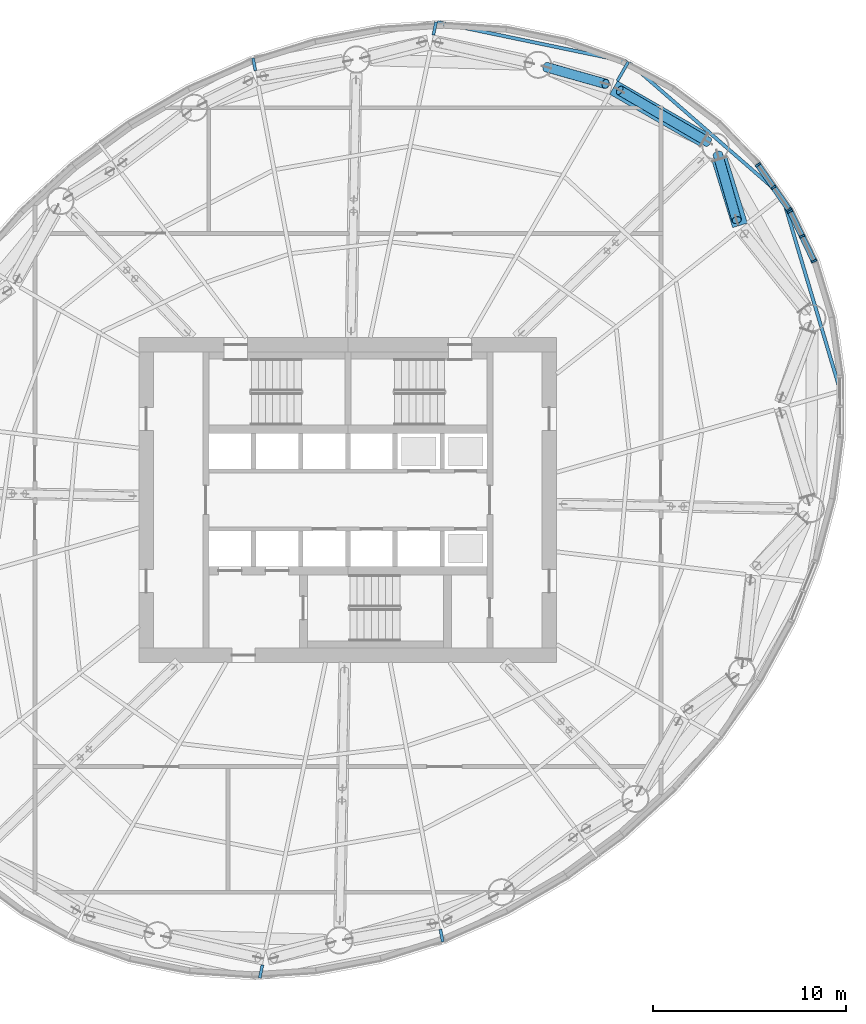
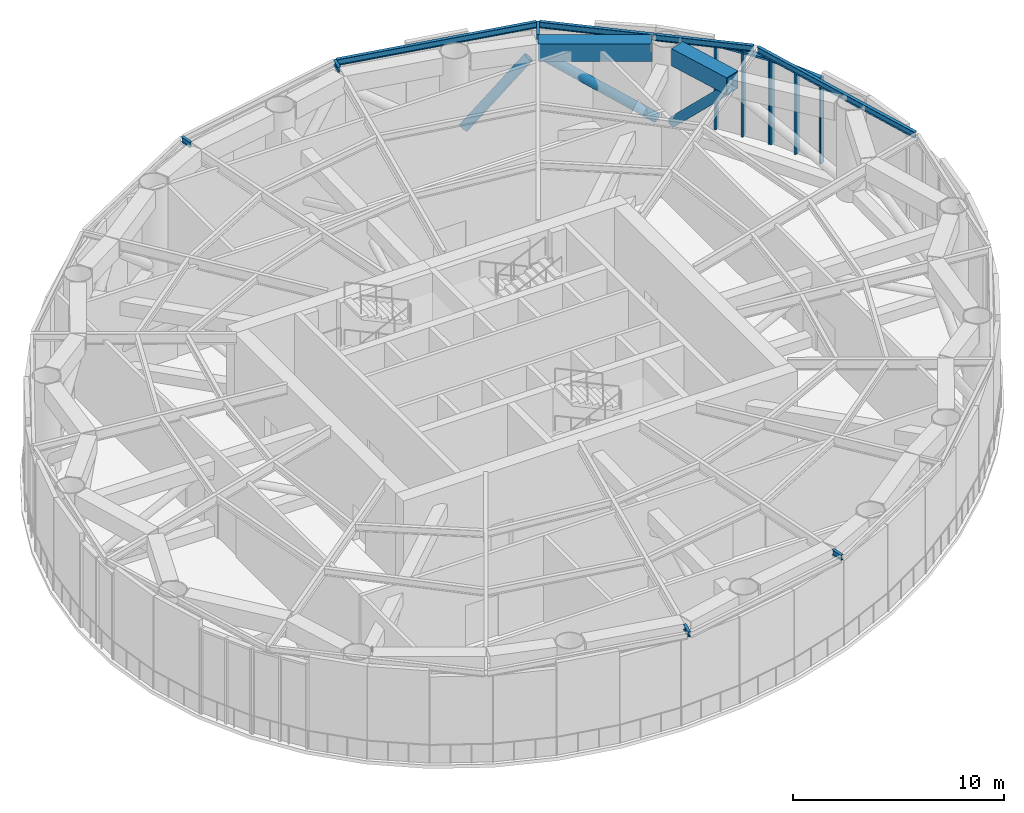
# One storey, part 6 of 19: 15 members, 8 beams, 2 elements without a shape of their own.
"""IFC4 building model written with IfcOpenShell, lengths in metres."""

from ifc_helpers import new_model, si_unit, direction, frame, origin, origin_2d, place, context, subcontext, project, spatial, rectangle, hollow_rectangle, hollow_circle, i_section, extrude, material, material_profile, profile_set, type_object, element, aggregate, save


model = new_model("IFC4")

# Units and contexts
model_context = context("Model", 3, precision=1e-05, world=origin(), true_north=direction((0.0, 1.0)))
body_context = subcontext(model_context, "Body", "Model", "MODEL_VIEW")
ifc_project = project(units=[si_unit("LENGTHUNIT", "METRE"), si_unit("AREAUNIT", "SQUARE_METRE"), si_unit("VOLUMEUNIT", "CUBIC_METRE"), si_unit("PLANEANGLEUNIT", "RADIAN"), si_unit("MASSUNIT", "GRAM", prefix="KILO")], contexts=[model_context])

# Site, building, storey
site_placement = place(None, origin())
site = spatial("IfcSite", under=ifc_project, at=site_placement, CompositionType="ELEMENT")
building_placement = place(site_placement, origin())
building = spatial("IfcBuilding", under=site, at=building_placement, Name="Vermilion Reach Broadcast Tower", CompositionType="ELEMENT")
storey_placement = place(building_placement, frame((0.0, 0.0, 190.199951171875)))
storey = spatial("IfcBuildingStorey", under=building, at=storey_placement, Name="L46", CompositionType="ELEMENT", Elevation=190.199951171875)

# Members
ifc_material_1 = material(Name="Steel S355J2H", Category="steel")
ifc_material_profile_1 = material_profile(ifc_material_1, hollow_circle(Radius=0.25390625, WallThickness=0.02001953125, at=origin_2d()), Name="S355J2H CHS 508x20")
ifc_profile_set_1 = profile_set([ifc_material_profile_1], Name="Steel S355J2H")
member_type_1 = type_object("IfcMemberType", Name="BT3-D CHS 508x20", PredefinedType="BRACE", material=ifc_profile_set_1)
member_1_placement = place(storey_placement, frame((12.637451171875, 18.52978515625, 0.800048828125), z_axis=(-0.717597662826, 0.41968788047, 0.555801832754), x_axis=(-0.50484831086, -0.863208076319, 0.0)))
element("IfcMember", 1, at=member_1_placement, inside=storey, type_object=member_type_1, Name="Belt truss diagonal BT3-D01A", PredefinedType="BRACE", context=body_context, shape_type="SweptSolid", body=[
    extrude(hollow_circle(Radius=0.25390625, WallThickness=0.02001953125, at=origin_2d()), origin(), (0.0, 0.0, 1.0), 6.369140625),
])
member_2_placement = place(storey_placement, frame((4.2783203125, 22.40185546875, 0.800048828125), z_axis=(0.643278409776, -0.181683448483, 0.743763411351), x_axis=(0.271800976197, 0.962353484609, 0.0)))
element("IfcMember", 2, at=member_2_placement, inside=storey, type_object=member_type_1, Name="Belt truss diagonal BT3-D01B", PredefinedType="BRACE", context=body_context, shape_type="SweptSolid", body=[
    extrude(hollow_circle(Radius=0.25390625, WallThickness=0.02001953125, at=origin_2d()), origin(), (0.0, 0.0, 1.0), 4.759521484375),
])
member_3_placement = place(storey_placement, frame((13.150146484375, 17.8701171875, 0.800048828125), z_axis=(0.19455754061, -0.677846490444, 0.708993299534), x_axis=(0.961190959632, 0.275883923276, 0.0)))
element("IfcMember", 3, at=member_3_placement, inside=storey, type_object=member_type_1, Name="Belt truss diagonal BT3-D16B", PredefinedType="BRACE", context=body_context, shape_type="SweptSolid", body=[
    extrude(hollow_circle(Radius=0.25390625, WallThickness=0.02001953125, at=origin_2d()), origin(), (0.0, 0.0, 1.0), 4.9931640625),
])
ifc_material_2 = material(Name="Steel S460NL", Category="steel")
ifc_material_profile_2 = material_profile(ifc_material_2, hollow_rectangle(XDim=0.800048828125, YDim=1.0, WallThickness=0.0400390625, at=origin_2d()), Name="S460NL BOX 800x1000x40")
ifc_profile_set_2 = profile_set([ifc_material_profile_2], Name="Steel S460NL")
member_type_2 = type_object("IfcMemberType", Name="BT3-TC BOX 800x1000x40", PredefinedType="CHORD", material=ifc_profile_set_2)
member_4_placement = place(storey_placement, frame((12.41064453125, 18.6572265625, 4.85009765625), z_axis=(-0.866411335394, 0.499330950272, 0.0), x_axis=(-0.499330950272, -0.866411335394, 0.0)))
element("IfcMember", 4, at=member_4_placement, inside=storey, type_object=member_type_2, Name="Belt truss top chord BT3-TC01", PredefinedType="CHORD", context=body_context, shape_type="SweptSolid", body=[
    extrude(hollow_rectangle(XDim=0.800048828125, YDim=1.0, WallThickness=0.0400390625, at=origin_2d()), origin(), (0.0, 0.0, 1.0), 5.381103515625),
])
member_5_placement = place(storey_placement, frame((14.294677734375, 14.212890625, 4.85009765625), z_axis=(-0.296289574057, 0.955098156372, 0.0), x_axis=(-0.955098156372, -0.296289574057, 0.0)))
element("IfcMember", 5, at=member_5_placement, inside=storey, type_object=member_type_2, Name="Belt truss top chord BT3-TC32", PredefinedType="CHORD", context=body_context, shape_type="SweptSolid", body=[
    extrude(hollow_rectangle(XDim=0.800048828125, YDim=1.0, WallThickness=0.0400390625, at=origin_2d()), origin(), (0.0, 0.0, 1.0), 3.572021484375),
])

# Curtain wall, members
ifc_material_3 = material(Name="Low-e laminated clear glass in aluminium frame", Category="aluminium")
curtain_wall_type = type_object("IfcCurtainWallType", Name="Belt glazing curtain wall", PredefinedType="NOTDEFINED", material=ifc_material_3)
placement = place(storey_placement, origin())
curtain_wall_1 = element("IfcCurtainWall", 6, at=placement, inside=storey, type_object=curtain_wall_type, Name="Sky lobby glazing L46 01", PredefinedType="NOTDEFINED")
ifc_material_4 = material(Name="Anodised aluminium", Category="aluminium")
ifc_material_profile_3 = material_profile(ifc_material_4, rectangle(XDim=0.300048828125, YDim=0.10009765625, at=origin_2d()), Name="Belt glazing mullion 100 x 300")
ifc_profile_set_3 = profile_set([ifc_material_profile_3], Name="Anodised aluminium")
member_type_3 = type_object("IfcMemberType", Name="Belt glazing mullion 100 x 300", PredefinedType="MULLION", material=ifc_profile_set_3)
member_6_placement = place(storey_placement, frame((18.122802734375, 12.3681640625, 0.0), z_axis=(0.0, 0.0, 1.0), x_axis=(-0.900960065819, -0.433902016358, 0.0)))
member_6 = element("IfcMember", 7, at=member_6_placement, type_object=member_type_3, Name="Sky lobby glazing mullion L46 01.1", PredefinedType="MULLION", context=body_context, shape_type="SweptSolid", body=[
    extrude(rectangle(XDim=0.300048828125, YDim=0.10009765625, at=origin_2d()), origin(), (0.0, 0.0, 1.0), 4.949951171875),
])
member_7_placement = place(storey_placement, frame((17.504150390625, 13.65234375, 0.0), z_axis=(0.0, 0.0, 1.0), x_axis=(-0.900960065819, -0.433902016358, 0.0)))
member_7 = element("IfcMember", 8, at=member_7_placement, type_object=member_type_3, Name="Sky lobby glazing mullion L46 01.2", PredefinedType="MULLION", context=body_context, shape_type="SweptSolid", body=[
    extrude(rectangle(XDim=0.300048828125, YDim=0.10009765625, at=origin_2d()), origin(), (0.0, 0.0, 1.0), 4.949951171875),
])
member_8_placement = place(storey_placement, frame((16.8857421875, 14.936767578125, 0.0), z_axis=(0.0, 0.0, 1.0), x_axis=(-0.900960065819, -0.433902016358, 0.0)))
member_8 = element("IfcMember", 9, at=member_8_placement, type_object=member_type_3, Name="Sky lobby glazing mullion L46 01.3", PredefinedType="MULLION", context=body_context, shape_type="SweptSolid", body=[
    extrude(rectangle(XDim=0.300048828125, YDim=0.10009765625, at=origin_2d()), origin(), (0.0, 0.0, 1.0), 4.949951171875),
])

curtain_wall_2 = element("IfcCurtainWall", 10, at=placement, inside=storey, type_object=curtain_wall_type, Name="Sky lobby glazing L46 02", PredefinedType="NOTDEFINED")
member_9_placement = place(storey_placement, frame((16.83544921875, 15.02294921875, 0.0), z_axis=(0.0, 0.0, 1.0), x_axis=(-0.821280862388, -0.570524096839, 0.0)))
member_9 = element("IfcMember", 11, at=member_9_placement, type_object=member_type_3, Name="Sky lobby glazing mullion L46 02.1", PredefinedType="MULLION", context=body_context, shape_type="SweptSolid", body=[
    extrude(rectangle(XDim=0.300048828125, YDim=0.10009765625, at=origin_2d()), origin(), (0.0, 0.0, 1.0), 4.949951171875),
])
member_10_placement = place(storey_placement, frame((16.029296875, 16.183349609375, 0.0), z_axis=(0.0, 0.0, 1.0), x_axis=(-0.821280862388, -0.570524096839, 0.0)))
member_10 = element("IfcMember", 12, at=member_10_placement, type_object=member_type_3, Name="Sky lobby glazing mullion L46 02.2", PredefinedType="MULLION", context=body_context, shape_type="SweptSolid", body=[
    extrude(rectangle(XDim=0.300048828125, YDim=0.10009765625, at=origin_2d()), origin(), (0.0, 0.0, 1.0), 4.949951171875),
])
member_11_placement = place(storey_placement, frame((15.22314453125, 17.34375, 0.0), z_axis=(0.0, 0.0, 1.0), x_axis=(-0.821280862388, -0.570524096839, 0.0)))
member_11 = element("IfcMember", 13, at=member_11_placement, type_object=member_type_3, Name="Sky lobby glazing mullion L46 02.3", PredefinedType="MULLION", context=body_context, shape_type="SweptSolid", body=[
    extrude(rectangle(XDim=0.300048828125, YDim=0.10009765625, at=origin_2d()), origin(), (0.0, 0.0, 1.0), 4.949951171875),
])

# Member
ifc_material_5 = material(Name="Anodised aluminium", Category="aluminium")
ifc_material_profile_4 = material_profile(ifc_material_5, rectangle(XDim=0.300048828125, YDim=0.1201171875, at=origin_2d()), Name="Belt glazing transom 300 x 120")
ifc_profile_set_4 = profile_set([ifc_material_profile_4], Name="Anodised aluminium")
member_type_4 = type_object("IfcMemberType", Name="Belt glazing transom 300 x 120", PredefinedType="USERDEFINED", material=ifc_profile_set_4)
member_12_placement = place(storey_placement, frame((18.10107421875, 12.4130859375, 4.89013671875), z_axis=(-0.433904215099, 0.900959006903, 0.0), x_axis=(-0.900959006903, -0.433904215099, 0.0)))
member_12 = element("IfcMember", 14, at=member_12_placement, type_object=member_type_4, Name="Sky lobby glazing transom L46 01.1.2", ObjectType="TRANSOM", PredefinedType="USERDEFINED", context=body_context, shape_type="SweptSolid", body=[
    extrude(rectangle(XDim=0.300048828125, YDim=0.1201171875, at=origin_2d()), origin(), (0.0, 0.0, 1.0), 1.32568359375),
])

member_13_placement = place(storey_placement, frame((17.482421875, 13.697509765625, 4.89013671875), z_axis=(-0.433904215099, 0.900959006903, 0.0), x_axis=(-0.900959006903, -0.433904215099, 0.0)))
member_13 = element("IfcMember", 15, at=member_13_placement, type_object=member_type_4, Name="Sky lobby glazing transom L46 01.2.2", ObjectType="TRANSOM", PredefinedType="USERDEFINED", context=body_context, shape_type="SweptSolid", body=[
    extrude(rectangle(XDim=0.300048828125, YDim=0.1201171875, at=origin_2d()), origin(), (0.0, 0.0, 1.0), 1.32568359375),
])

aggregate(curtain_wall_1, [member_6, member_7, member_8, member_12, member_13])

member_14_placement = place(storey_placement, frame((16.806884765625, 15.06396484375, 4.89013671875), z_axis=(-0.570475953353, 0.82131430442, 0.0), x_axis=(-0.82131430442, -0.570475953353, 0.0)))
member_14 = element("IfcMember", 16, at=member_14_placement, type_object=member_type_4, Name="Sky lobby glazing transom L46 02.1.2", ObjectType="TRANSOM", PredefinedType="USERDEFINED", context=body_context, shape_type="SweptSolid", body=[
    extrude(rectangle(XDim=0.300048828125, YDim=0.1201171875, at=origin_2d()), origin(), (0.0, 0.0, 1.0), 1.31298828125),
])

member_15_placement = place(storey_placement, frame((16.000732421875, 16.224365234375, 4.89013671875), z_axis=(-0.570475953353, 0.82131430442, 0.0), x_axis=(-0.82131430442, -0.570475953353, 0.0)))
member_15 = element("IfcMember", 17, at=member_15_placement, type_object=member_type_4, Name="Sky lobby glazing transom L46 02.2.2", ObjectType="TRANSOM", PredefinedType="USERDEFINED", context=body_context, shape_type="SweptSolid", body=[
    extrude(rectangle(XDim=0.300048828125, YDim=0.1201171875, at=origin_2d()), origin(), (0.0, 0.0, 1.0), 1.31298828125),
])

aggregate(curtain_wall_2, [member_9, member_10, member_11, member_14, member_15])

# Beams
ifc_material_6 = material(Name="Steel S355J2", Category="steel")
ifc_material_profile_5 = material_profile(ifc_material_6, i_section(OverallWidth=0.175048828125, OverallDepth=0.35009765625, WebThickness=0.007080078125, FlangeThickness=0.010986328125, at=origin_2d()), Name="S355J2 HN 350x175x7x11")
ifc_profile_set_5 = profile_set([ifc_material_profile_5], Name="Steel S355J2")
beam_type_1 = type_object("IfcBeamType", Name="EB4 HN 350x175x7x11", PredefinedType="BEAM", material=ifc_profile_set_5)
beam_1_placement = place(storey_placement, frame((8.434814453125, 22.685791015625, 5.175048828125), z_axis=(-0.978964788387, 0.204029270199, 0.0), x_axis=(-0.204029270199, -0.978964788387, 0.0)))
element("IfcBeam", 18, at=beam_1_placement, inside=storey, type_object=beam_type_1, Name="Edge beam EB4-01", PredefinedType="BEAM", context=body_context, shape_type="SweptSolid", body=[
    extrude(i_section(OverallWidth=0.175048828125, OverallDepth=0.35009765625, WebThickness=0.007080078125, FlangeThickness=0.010986328125, at=origin_2d()), origin(), (0.0, 0.0, 1.0), 10.007080078125),
])
beam_2_placement = place(storey_placement, frame((19.460205078125, 5.735595703125, 5.175048828125), z_axis=(-0.285730118032, 0.958310127072, 0.0), x_axis=(-0.958310127072, -0.285730118032, 0.0)))
element("IfcBeam", 19, at=beam_2_placement, inside=storey, type_object=beam_type_1, Name="Edge beam EB4-15", PredefinedType="BEAM", context=body_context, shape_type="SweptSolid", body=[
    extrude(i_section(OverallWidth=0.175048828125, OverallDepth=0.35009765625, WebThickness=0.007080078125, FlangeThickness=0.010986328125, at=origin_2d()), origin(), (0.0, 0.0, 1.0), 10.3310546875),
])
beam_3_placement = place(storey_placement, frame((16.40087890625, 15.805908203125, 5.175048828125), z_axis=(-0.754421182211, 0.656390645752, 0.0), x_axis=(-0.656390645752, -0.754421182211, 0.0)))
element("IfcBeam", 20, at=beam_3_placement, inside=storey, type_object=beam_type_1, Name="Edge beam EB4-16", PredefinedType="BEAM", context=body_context, shape_type="SweptSolid", body=[
    extrude(i_section(OverallWidth=0.175048828125, OverallDepth=0.35009765625, WebThickness=0.007080078125, FlangeThickness=0.010986328125, at=origin_2d()), origin(), (0.0, 0.0, 1.0), 10.380126953125),
])
ifc_material_7 = material(Name="Steel S355J2", Category="steel")
ifc_material_profile_6 = material_profile(ifc_material_7, i_section(OverallWidth=0.14990234375, OverallDepth=0.300048828125, WebThickness=0.006591796875, FlangeThickness=0.009033203125, at=origin_2d()), Name="S355J2 HN 300x150x6.5x9")
ifc_profile_set_6 = profile_set([ifc_material_profile_6], Name="Steel S355J2")
beam_type_2 = type_object("IfcBeamType", Name="GS4 HN 300x150x6.5x9", PredefinedType="BEAM", material=ifc_profile_set_6)
beam_4_placement = place(storey_placement, frame((7.947998046875, 21.690673828125, 5.199951171875), z_axis=(0.499161145765, 0.866509175115, 0.0), x_axis=(-0.866509175115, 0.499161145765, 0.0)))
element("IfcBeam", 21, at=beam_4_placement, inside=storey, type_object=beam_type_2, Name="Cantilever stub GS4-01", PredefinedType="BEAM", context=body_context, shape_type="SweptSolid", body=[
    extrude(i_section(OverallWidth=0.14990234375, OverallDepth=0.300048828125, WebThickness=0.006591796875, FlangeThickness=0.009033203125, at=origin_2d()), origin(), (0.0, 0.0, 1.0), 1.1298828125),
])
beam_5_placement = place(storey_placement, frame((-1.576904296875, 24.0634765625, 5.199951171875), z_axis=(0.204024489799, 0.978965784674, 0.0), x_axis=(-0.978965784674, 0.204024489799, 0.0)))
element("IfcBeam", 22, at=beam_5_placement, inside=storey, type_object=beam_type_2, Name="Cantilever stub GS4-02", PredefinedType="BEAM", context=body_context, shape_type="SweptSolid", body=[
    extrude(i_section(OverallWidth=0.14990234375, OverallDepth=0.300048828125, WebThickness=0.006591796875, FlangeThickness=0.009033203125, at=origin_2d()), origin(), (0.0, 0.0, 1.0), 0.694091796875),
])
beam_6_placement = place(storey_placement, frame((-10.787109375, 22.222412109375, 5.199951171875), z_axis=(-0.185096349567, 0.982720378021, 0.0), x_axis=(-0.982720378021, -0.185096349567, 0.0)))
element("IfcBeam", 23, at=beam_6_placement, inside=storey, type_object=beam_type_2, Name="Cantilever stub GS4-03", PredefinedType="BEAM", context=body_context, shape_type="SweptSolid", body=[
    extrude(i_section(OverallWidth=0.14990234375, OverallDepth=0.300048828125, WebThickness=0.006591796875, FlangeThickness=0.009033203125, at=origin_2d()), origin(), (0.0, 0.0, 1.0), 0.65673828125),
])
beam_7_placement = place(storey_placement, frame((-10.423095703125, -24.0634765625, 5.199951171875), z_axis=(-0.204024489799, -0.978965784674, 0.0), x_axis=(0.978965784674, -0.204024489799, 0.0)))
element("IfcBeam", 24, at=beam_7_placement, inside=storey, type_object=beam_type_2, Name="Cantilever stub GS4-10", PredefinedType="BEAM", context=body_context, shape_type="SweptSolid", body=[
    extrude(i_section(OverallWidth=0.14990234375, OverallDepth=0.300048828125, WebThickness=0.006591796875, FlangeThickness=0.009033203125, at=origin_2d()), origin(), (0.0, 0.0, 1.0), 0.694091796875),
])
beam_8_placement = place(storey_placement, frame((-1.212890625, -22.222412109375, 5.199951171875), z_axis=(0.185096349567, -0.982720378021, 0.0), x_axis=(0.982720378021, 0.185096349567, 0.0)))
element("IfcBeam", 25, at=beam_8_placement, inside=storey, type_object=beam_type_2, Name="Cantilever stub GS4-11", PredefinedType="BEAM", context=body_context, shape_type="SweptSolid", body=[
    extrude(i_section(OverallWidth=0.14990234375, OverallDepth=0.300048828125, WebThickness=0.006591796875, FlangeThickness=0.009033203125, at=origin_2d()), origin(), (0.0, 0.0, 1.0), 0.65673828125),
])

save(model, "model.ifc")
